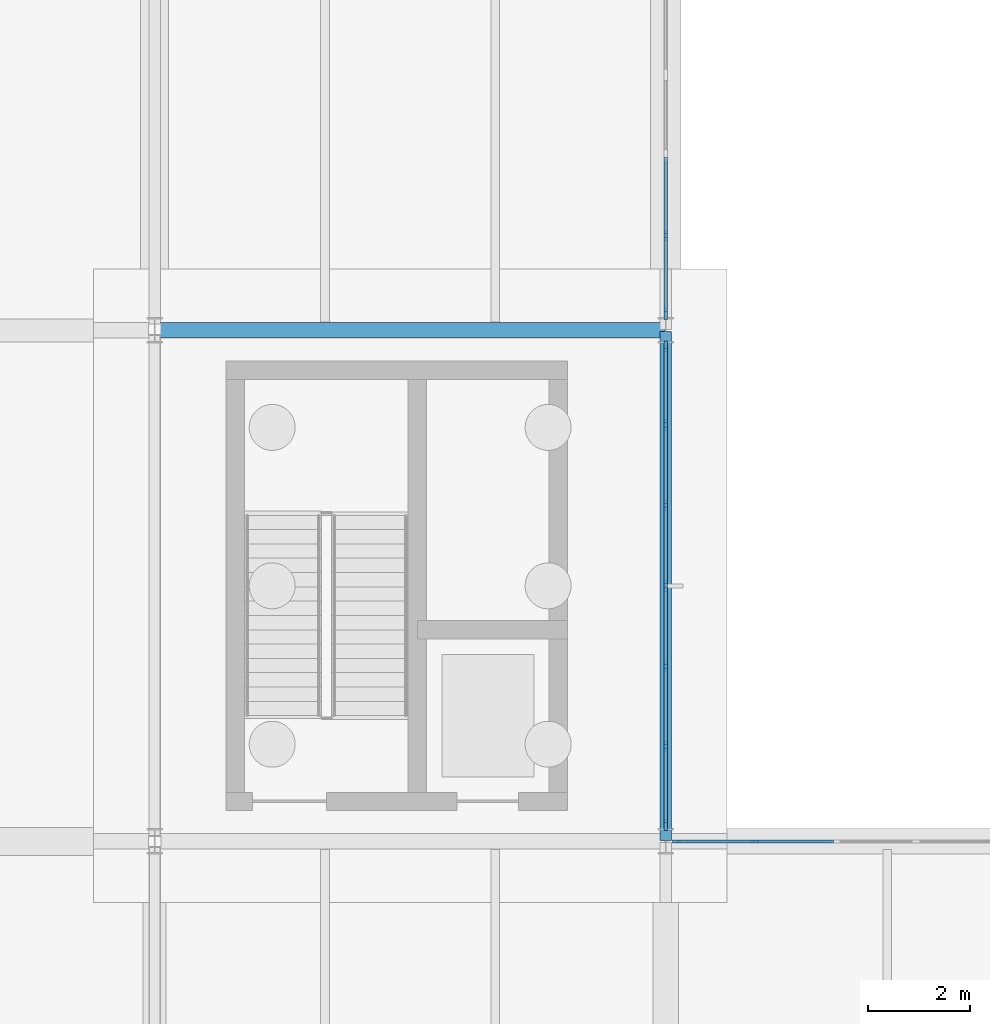
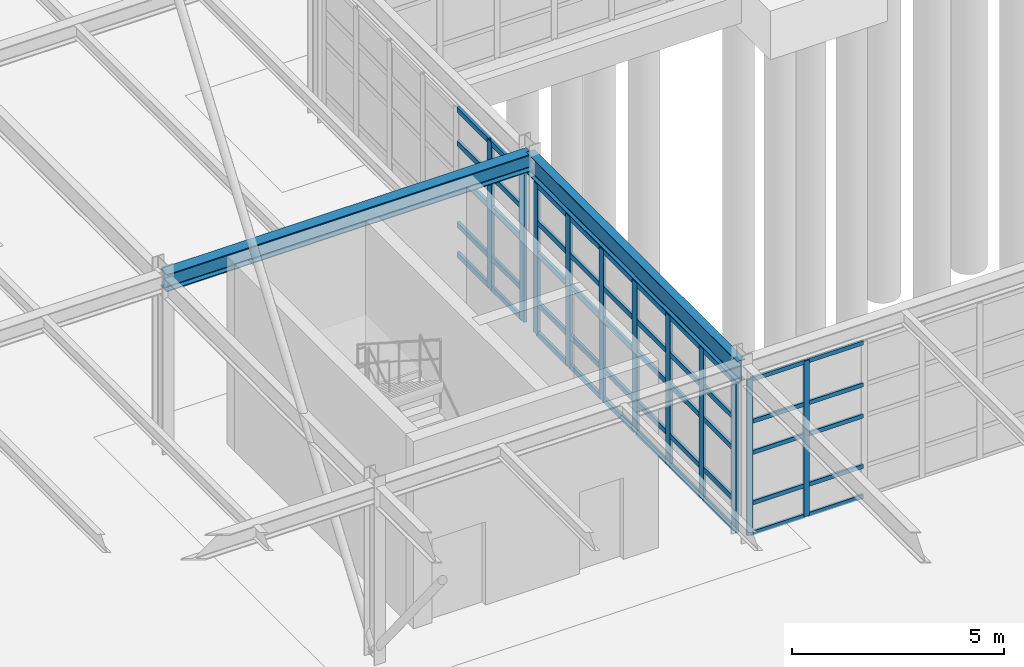
# One storey, part 46 of 145: 61 members, 2 beams, 3 elements without a shape of their own.
"""IFC4 building model written with IfcOpenShell, lengths in metres."""

from ifc_helpers import new_model, si_unit, direction, frame, origin, origin_2d, place, context, subcontext, project, spatial, rectangle, i_section, extrude, material, layer, layer_set, material_profile, profile_set, type_object, element, aggregate, save


model = new_model("IFC4")

# Units and contexts
model_context = context("Model", 3, precision=1e-05, world=origin(), true_north=direction((0.0, 1.0)))
body_context = subcontext(model_context, "Body", "Model", "MODEL_VIEW")
ifc_project = project(units=[si_unit("LENGTHUNIT", "METRE"), si_unit("AREAUNIT", "SQUARE_METRE"), si_unit("VOLUMEUNIT", "CUBIC_METRE"), si_unit("PLANEANGLEUNIT", "RADIAN"), si_unit("MASSUNIT", "GRAM", prefix="KILO"), si_unit("THERMODYNAMICTEMPERATUREUNIT", "KELVIN"), si_unit("POWERUNIT", "WATT")], contexts=[model_context])

# Site, building, storey
site_placement = place(None, origin())
site = spatial("IfcSite", under=ifc_project, at=site_placement, CompositionType="ELEMENT")
building_placement = place(site_placement, origin())
building = spatial("IfcBuilding", under=site, at=building_placement, Name="Korenveer Ferry Terminal", CompositionType="ELEMENT")
storey_placement = place(building_placement, origin())
storey = spatial("IfcBuildingStorey", under=building, at=storey_placement, Name="L00", CompositionType="ELEMENT", Elevation=0.0)

# Curtain wall, members
ifc_material_1 = material(Name="Unitised bronze-and-glass curtain wall", Category="glass")
ifc_layer_1 = layer(ifc_material_1, 0.159912109375)
ifc_layer_set_1 = layer_set([ifc_layer_1], Name="Unitised bronze-and-glass curtain wall")
curtain_wall_type_1 = type_object("IfcCurtainWallType", Name="ENV-CW-04", PredefinedType="USERDEFINED", material=ifc_layer_set_1)
curtain_wall_1_placement = place(storey_placement, frame((123.179931640625, 50.0, 0.0)))
curtain_wall_1 = element("IfcCurtainWall", 1, at=curtain_wall_1_placement, inside=storey, type_object=curtain_wall_type_1, Name="Lancet curtain wall CWX-L00-X123-136-Y50-50", ObjectType="UNITISED CURTAIN WALL", PredefinedType="USERDEFINED")
ifc_material_2 = material(Name="Anodised bronze aluminium", Category="aluminium")
ifc_material_profile_1 = material_profile(ifc_material_2, rectangle(XDim=0.06005859375, YDim=0.159912109375, at=origin_2d()), Name="ALU 60x160")
ifc_profile_set_1 = profile_set([ifc_material_profile_1], Name="Anodised bronze aluminium")
member_type_1 = type_object("IfcMemberType", Name="ENV-CWM-60X160", PredefinedType="MULLION", material=ifc_profile_set_1)
member_1_placement = place(storey_placement, frame((123.2099609375, 50.0, 0.0), z_axis=(0.0, 0.0, 1.0), x_axis=(0.0, 1.0, 0.0)))
member_1 = element("IfcMember", 2, at=member_1_placement, type_object=member_type_1, Name="CW-04 mullion 1", PredefinedType="MULLION", context=body_context, shape_type="SweptSolid", body=[
    extrude(rectangle(XDim=0.06005859375, YDim=0.159912109375, at=origin_2d()), origin(), (0.0, 0.0, 1.0), 4.489990234375),
])
member_2_placement = place(storey_placement, frame((124.753662109375, 50.0, 0.0), z_axis=(0.0, 0.0, 1.0), x_axis=(0.0, 1.0, 0.0)))
member_2 = element("IfcMember", 3, at=member_2_placement, type_object=member_type_1, Name="CW-04 mullion 2", PredefinedType="MULLION", context=body_context, shape_type="SweptSolid", body=[
    extrude(rectangle(XDim=0.06005859375, YDim=0.159912109375, at=origin_2d()), origin(), (0.0, 0.0, 1.0), 4.489990234375),
])

ifc_layer_2 = layer(ifc_material_1, 0.219970703125)
ifc_layer_set_2 = layer_set([ifc_layer_2], Name="Unitised bronze-and-glass curtain wall")
curtain_wall_type_2 = type_object("IfcCurtainWallType", Name="ENV-CW-26", PredefinedType="USERDEFINED", material=ifc_layer_set_2)
curtain_wall_2_placement = place(storey_placement, frame((123.0, 59.719970703125, 0.0)))
curtain_wall_2 = element("IfcCurtainWall", 4, at=curtain_wall_2_placement, inside=storey, type_object=curtain_wall_type_2, Name="Lancet curtain wall CWX-L00-X123-123-Y50-60", ObjectType="UNITISED CURTAIN WALL", PredefinedType="USERDEFINED")
ifc_material_profile_2 = material_profile(ifc_material_2, rectangle(XDim=0.074951171875, YDim=0.219970703125, at=origin_2d()), Name="ALU 75x220")
ifc_profile_set_2 = profile_set([ifc_material_profile_2], Name="Anodised bronze aluminium")
member_type_2 = type_object("IfcMemberType", Name="ENV-CWM-75X220", PredefinedType="MULLION", material=ifc_profile_set_2)
member_3_placement = place(storey_placement, frame((123.0, 59.6826171875, 0.0), z_axis=(0.0, 0.0, 1.0), x_axis=(1.0, 0.0, 0.0)))
member_3 = element("IfcMember", 5, at=member_3_placement, type_object=member_type_2, Name="CW-26 mullion 1", PredefinedType="MULLION", context=body_context, shape_type="SweptSolid", body=[
    extrude(rectangle(XDim=0.074951171875, YDim=0.219970703125, at=origin_2d()), origin(), (0.0, 0.0, 1.0), 4.35009765625),
])
member_4_placement = place(storey_placement, frame((123.0, 58.146728515625, 0.0), z_axis=(0.0, 0.0, 1.0), x_axis=(1.0, 0.0, 0.0)))
member_4 = element("IfcMember", 6, at=member_4_placement, type_object=member_type_2, Name="CW-26 mullion 2", PredefinedType="MULLION", context=body_context, shape_type="SweptSolid", body=[
    extrude(rectangle(XDim=0.074951171875, YDim=0.219970703125, at=origin_2d()), origin(), (0.0, 0.0, 1.0), 4.35009765625),
])
member_5_placement = place(storey_placement, frame((123.0, 56.5732421875, 0.0), z_axis=(0.0, 0.0, 1.0), x_axis=(1.0, 0.0, 0.0)))
member_5 = element("IfcMember", 7, at=member_5_placement, type_object=member_type_2, Name="CW-26 mullion 3", PredefinedType="MULLION", context=body_context, shape_type="SweptSolid", body=[
    extrude(rectangle(XDim=0.074951171875, YDim=0.219970703125, at=origin_2d()), origin(), (0.0, 0.0, 1.0), 4.35009765625),
])
member_6_placement = place(storey_placement, frame((123.0, 55.0, 0.0), z_axis=(0.0, 0.0, 1.0), x_axis=(1.0, 0.0, 0.0)))
member_6 = element("IfcMember", 8, at=member_6_placement, type_object=member_type_2, Name="CW-26 mullion 4", PredefinedType="MULLION", context=body_context, shape_type="SweptSolid", body=[
    extrude(rectangle(XDim=0.074951171875, YDim=0.219970703125, at=origin_2d()), origin(), (0.0, 0.0, 1.0), 4.35009765625),
])
member_7_placement = place(storey_placement, frame((123.0, 53.4267578125, 0.0), z_axis=(0.0, 0.0, 1.0), x_axis=(1.0, 0.0, 0.0)))
member_7 = element("IfcMember", 9, at=member_7_placement, type_object=member_type_2, Name="CW-26 mullion 5", PredefinedType="MULLION", context=body_context, shape_type="SweptSolid", body=[
    extrude(rectangle(XDim=0.074951171875, YDim=0.219970703125, at=origin_2d()), origin(), (0.0, 0.0, 1.0), 4.35009765625),
])
member_8_placement = place(storey_placement, frame((123.0, 51.853271484375, 0.0), z_axis=(0.0, 0.0, 1.0), x_axis=(1.0, 0.0, 0.0)))
member_8 = element("IfcMember", 10, at=member_8_placement, type_object=member_type_2, Name="CW-26 mullion 6", PredefinedType="MULLION", context=body_context, shape_type="SweptSolid", body=[
    extrude(rectangle(XDim=0.074951171875, YDim=0.219970703125, at=origin_2d()), origin(), (0.0, 0.0, 1.0), 4.35009765625),
])
member_9_placement = place(storey_placement, frame((123.0, 50.3173828125, 0.0), z_axis=(0.0, 0.0, 1.0), x_axis=(1.0, 0.0, 0.0)))
member_9 = element("IfcMember", 11, at=member_9_placement, type_object=member_type_2, Name="CW-26 mullion 7", PredefinedType="MULLION", context=body_context, shape_type="SweptSolid", body=[
    extrude(rectangle(XDim=0.074951171875, YDim=0.219970703125, at=origin_2d()), origin(), (0.0, 0.0, 1.0), 4.35009765625),
])

ifc_layer_3 = layer(ifc_material_1, 0.219970703125)
ifc_layer_set_3 = layer_set([ifc_layer_3], Name="Unitised bronze-and-glass curtain wall")
curtain_wall_type_3 = type_object("IfcCurtainWallType", Name="ENV-CW-27", PredefinedType="USERDEFINED", material=ifc_layer_set_3)
curtain_wall_3_placement = place(storey_placement, frame((123.0, 69.719970703125, 0.0)))
curtain_wall_3 = element("IfcCurtainWall", 12, at=curtain_wall_3_placement, inside=storey, type_object=curtain_wall_type_3, Name="Lancet curtain wall CWX-L00-X123-123-Y60-70", ObjectType="UNITISED CURTAIN WALL", PredefinedType="USERDEFINED")
member_10_placement = place(storey_placement, frame((123.0, 61.853271484375, 0.0), z_axis=(0.0, 0.0, 1.0), x_axis=(1.0, 0.0, 0.0)))
member_10 = element("IfcMember", 13, at=member_10_placement, type_object=member_type_2, Name="CW-27 mullion 6", PredefinedType="MULLION", context=body_context, shape_type="SweptSolid", body=[
    extrude(rectangle(XDim=0.074951171875, YDim=0.219970703125, at=origin_2d()), origin(), (0.0, 0.0, 1.0), 4.25),
])
member_11_placement = place(storey_placement, frame((123.0, 60.3173828125, 0.0), z_axis=(0.0, 0.0, 1.0), x_axis=(1.0, 0.0, 0.0)))
member_11 = element("IfcMember", 14, at=member_11_placement, type_object=member_type_2, Name="CW-27 mullion 7", PredefinedType="MULLION", context=body_context, shape_type="SweptSolid", body=[
    extrude(rectangle(XDim=0.074951171875, YDim=0.219970703125, at=origin_2d()), origin(), (0.0, 0.0, 1.0), 4.25),
])

# Member
ifc_material_profile_3 = material_profile(ifc_material_2, rectangle(XDim=0.06005859375, YDim=0.1201171875, at=origin_2d()), Name="ALU 60x120")
ifc_profile_set_3 = profile_set([ifc_material_profile_3], Name="Anodised bronze aluminium")
member_type_3 = type_object("IfcMemberType", Name="ENV-CWT-60X120", PredefinedType="USERDEFINED", material=ifc_profile_set_3)
member_12_placement = place(storey_placement, frame((123.239990234375, 50.0, 0.030029296875), z_axis=(1.0, 0.0, 0.0), x_axis=(0.0, 1.0, 0.0)))
member_12 = element("IfcMember", 15, at=member_12_placement, type_object=member_type_3, Name="CW-04 transom 1.1", ObjectType="TRANSOM", PredefinedType="USERDEFINED", context=body_context, shape_type="SweptSolid", body=[
    extrude(rectangle(XDim=0.06005859375, YDim=0.1201171875, at=origin_2d()), origin(), (0.0, 0.0, 1.0), 1.483642578125),
])

member_13_placement = place(storey_placement, frame((123.239990234375, 50.0, 0.89990234375), z_axis=(1.0, 0.0, 0.0), x_axis=(0.0, 1.0, 0.0)))
member_13 = element("IfcMember", 16, at=member_13_placement, type_object=member_type_3, Name="CW-04 transom 1.2", ObjectType="TRANSOM", PredefinedType="USERDEFINED", context=body_context, shape_type="SweptSolid", body=[
    extrude(rectangle(XDim=0.06005859375, YDim=0.1201171875, at=origin_2d()), origin(), (0.0, 0.0, 1.0), 1.483642578125),
])

member_14_placement = place(storey_placement, frame((123.239990234375, 50.0, 2.35009765625), z_axis=(1.0, 0.0, 0.0), x_axis=(0.0, 1.0, 0.0)))
member_14 = element("IfcMember", 17, at=member_14_placement, type_object=member_type_3, Name="CW-04 transom 1.3", ObjectType="TRANSOM", PredefinedType="USERDEFINED", context=body_context, shape_type="SweptSolid", body=[
    extrude(rectangle(XDim=0.06005859375, YDim=0.1201171875, at=origin_2d()), origin(), (0.0, 0.0, 1.0), 1.483642578125),
])

member_15_placement = place(storey_placement, frame((123.239990234375, 50.0, 3.25), z_axis=(1.0, 0.0, 0.0), x_axis=(0.0, 1.0, 0.0)))
member_15 = element("IfcMember", 18, at=member_15_placement, type_object=member_type_3, Name="CW-04 transom 1.4", ObjectType="TRANSOM", PredefinedType="USERDEFINED", context=body_context, shape_type="SweptSolid", body=[
    extrude(rectangle(XDim=0.06005859375, YDim=0.1201171875, at=origin_2d()), origin(), (0.0, 0.0, 1.0), 1.483642578125),
])

member_16_placement = place(storey_placement, frame((123.239990234375, 50.0, 4.4599609375), z_axis=(1.0, 0.0, 0.0), x_axis=(0.0, 1.0, 0.0)))
member_16 = element("IfcMember", 19, at=member_16_placement, type_object=member_type_3, Name="CW-04 transom 1.5", ObjectType="TRANSOM", PredefinedType="USERDEFINED", context=body_context, shape_type="SweptSolid", body=[
    extrude(rectangle(XDim=0.06005859375, YDim=0.1201171875, at=origin_2d()), origin(), (0.0, 0.0, 1.0), 1.483642578125),
])

member_17_placement = place(storey_placement, frame((124.78369140625, 50.0, 0.030029296875), z_axis=(1.0, 0.0, 0.0), x_axis=(0.0, 1.0, 0.0)))
member_17 = element("IfcMember", 20, at=member_17_placement, type_object=member_type_3, Name="CW-04 transom 2.1", ObjectType="TRANSOM", PredefinedType="USERDEFINED", context=body_context, shape_type="SweptSolid", body=[
    extrude(rectangle(XDim=0.06005859375, YDim=0.1201171875, at=origin_2d()), origin(), (0.0, 0.0, 1.0), 1.513916015625),
])

member_18_placement = place(storey_placement, frame((124.78369140625, 50.0, 0.89990234375), z_axis=(1.0, 0.0, 0.0), x_axis=(0.0, 1.0, 0.0)))
member_18 = element("IfcMember", 21, at=member_18_placement, type_object=member_type_3, Name="CW-04 transom 2.2", ObjectType="TRANSOM", PredefinedType="USERDEFINED", context=body_context, shape_type="SweptSolid", body=[
    extrude(rectangle(XDim=0.06005859375, YDim=0.1201171875, at=origin_2d()), origin(), (0.0, 0.0, 1.0), 1.513916015625),
])

member_19_placement = place(storey_placement, frame((124.78369140625, 50.0, 2.35009765625), z_axis=(1.0, 0.0, 0.0), x_axis=(0.0, 1.0, 0.0)))
member_19 = element("IfcMember", 22, at=member_19_placement, type_object=member_type_3, Name="CW-04 transom 2.3", ObjectType="TRANSOM", PredefinedType="USERDEFINED", context=body_context, shape_type="SweptSolid", body=[
    extrude(rectangle(XDim=0.06005859375, YDim=0.1201171875, at=origin_2d()), origin(), (0.0, 0.0, 1.0), 1.513916015625),
])

member_20_placement = place(storey_placement, frame((124.78369140625, 50.0, 3.25), z_axis=(1.0, 0.0, 0.0), x_axis=(0.0, 1.0, 0.0)))
member_20 = element("IfcMember", 23, at=member_20_placement, type_object=member_type_3, Name="CW-04 transom 2.4", ObjectType="TRANSOM", PredefinedType="USERDEFINED", context=body_context, shape_type="SweptSolid", body=[
    extrude(rectangle(XDim=0.06005859375, YDim=0.1201171875, at=origin_2d()), origin(), (0.0, 0.0, 1.0), 1.513916015625),
])

member_21_placement = place(storey_placement, frame((124.78369140625, 50.0, 4.4599609375), z_axis=(1.0, 0.0, 0.0), x_axis=(0.0, 1.0, 0.0)))
member_21 = element("IfcMember", 24, at=member_21_placement, type_object=member_type_3, Name="CW-04 transom 2.5", ObjectType="TRANSOM", PredefinedType="USERDEFINED", context=body_context, shape_type="SweptSolid", body=[
    extrude(rectangle(XDim=0.06005859375, YDim=0.1201171875, at=origin_2d()), origin(), (0.0, 0.0, 1.0), 1.513916015625),
])

aggregate(curtain_wall_1, [member_1, member_2, member_12, member_13, member_14, member_15, member_16, member_17, member_18, member_19, member_20, member_21])

ifc_material_profile_4 = material_profile(ifc_material_2, rectangle(XDim=0.074951171875, YDim=0.14990234375, at=origin_2d()), Name="ALU 75x150")
ifc_profile_set_4 = profile_set([ifc_material_profile_4], Name="Anodised bronze aluminium")
member_type_4 = type_object("IfcMemberType", Name="ENV-CWT-75X150", PredefinedType="USERDEFINED", material=ifc_profile_set_4)
member_22_placement = place(storey_placement, frame((123.0, 59.64501953125, 0.03759765625), z_axis=(0.0, -1.0, 0.0), x_axis=(1.0, 0.0, 0.0)))
member_22 = element("IfcMember", 25, at=member_22_placement, type_object=member_type_4, Name="CW-26 transom 1.1", ObjectType="TRANSOM", PredefinedType="USERDEFINED", context=body_context, shape_type="SweptSolid", body=[
    extrude(rectangle(XDim=0.074951171875, YDim=0.14990234375, at=origin_2d()), origin(), (0.0, 0.0, 1.0), 1.4609375),
])

member_23_placement = place(storey_placement, frame((123.0, 59.64501953125, 0.89990234375), z_axis=(0.0, -1.0, 0.0), x_axis=(1.0, 0.0, 0.0)))
member_23 = element("IfcMember", 26, at=member_23_placement, type_object=member_type_4, Name="CW-26 transom 1.2", ObjectType="TRANSOM", PredefinedType="USERDEFINED", context=body_context, shape_type="SweptSolid", body=[
    extrude(rectangle(XDim=0.074951171875, YDim=0.14990234375, at=origin_2d()), origin(), (0.0, 0.0, 1.0), 1.4609375),
])

member_24_placement = place(storey_placement, frame((123.0, 59.64501953125, 2.35009765625), z_axis=(0.0, -1.0, 0.0), x_axis=(1.0, 0.0, 0.0)))
member_24 = element("IfcMember", 27, at=member_24_placement, type_object=member_type_4, Name="CW-26 transom 1.3", ObjectType="TRANSOM", PredefinedType="USERDEFINED", context=body_context, shape_type="SweptSolid", body=[
    extrude(rectangle(XDim=0.074951171875, YDim=0.14990234375, at=origin_2d()), origin(), (0.0, 0.0, 1.0), 1.4609375),
])

member_25_placement = place(storey_placement, frame((123.0, 59.64501953125, 3.25), z_axis=(0.0, -1.0, 0.0), x_axis=(1.0, 0.0, 0.0)))
member_25 = element("IfcMember", 28, at=member_25_placement, type_object=member_type_4, Name="CW-26 transom 1.4", ObjectType="TRANSOM", PredefinedType="USERDEFINED", context=body_context, shape_type="SweptSolid", body=[
    extrude(rectangle(XDim=0.074951171875, YDim=0.14990234375, at=origin_2d()), origin(), (0.0, 0.0, 1.0), 1.4609375),
])

member_26_placement = place(storey_placement, frame((123.0, 59.64501953125, 4.3125), z_axis=(0.0, -1.0, 0.0), x_axis=(1.0, 0.0, 0.0)))
member_26 = element("IfcMember", 29, at=member_26_placement, type_object=member_type_4, Name="CW-26 transom 1.5", ObjectType="TRANSOM", PredefinedType="USERDEFINED", context=body_context, shape_type="SweptSolid", body=[
    extrude(rectangle(XDim=0.074951171875, YDim=0.14990234375, at=origin_2d()), origin(), (0.0, 0.0, 1.0), 1.4609375),
])

member_27_placement = place(storey_placement, frame((123.0, 58.109130859375, 0.03759765625), z_axis=(0.0, -1.0, 0.0), x_axis=(1.0, 0.0, 0.0)))
member_27 = element("IfcMember", 30, at=member_27_placement, type_object=member_type_4, Name="CW-26 transom 2.1", ObjectType="TRANSOM", PredefinedType="USERDEFINED", context=body_context, shape_type="SweptSolid", body=[
    extrude(rectangle(XDim=0.074951171875, YDim=0.14990234375, at=origin_2d()), origin(), (0.0, 0.0, 1.0), 1.498291015625),
])

member_28_placement = place(storey_placement, frame((123.0, 58.109130859375, 0.89990234375), z_axis=(0.0, -1.0, 0.0), x_axis=(1.0, 0.0, 0.0)))
member_28 = element("IfcMember", 31, at=member_28_placement, type_object=member_type_4, Name="CW-26 transom 2.2", ObjectType="TRANSOM", PredefinedType="USERDEFINED", context=body_context, shape_type="SweptSolid", body=[
    extrude(rectangle(XDim=0.074951171875, YDim=0.14990234375, at=origin_2d()), origin(), (0.0, 0.0, 1.0), 1.498291015625),
])

member_29_placement = place(storey_placement, frame((123.0, 58.109130859375, 2.35009765625), z_axis=(0.0, -1.0, 0.0), x_axis=(1.0, 0.0, 0.0)))
member_29 = element("IfcMember", 32, at=member_29_placement, type_object=member_type_4, Name="CW-26 transom 2.3", ObjectType="TRANSOM", PredefinedType="USERDEFINED", context=body_context, shape_type="SweptSolid", body=[
    extrude(rectangle(XDim=0.074951171875, YDim=0.14990234375, at=origin_2d()), origin(), (0.0, 0.0, 1.0), 1.498291015625),
])

member_30_placement = place(storey_placement, frame((123.0, 58.109130859375, 3.25), z_axis=(0.0, -1.0, 0.0), x_axis=(1.0, 0.0, 0.0)))
member_30 = element("IfcMember", 33, at=member_30_placement, type_object=member_type_4, Name="CW-26 transom 2.4", ObjectType="TRANSOM", PredefinedType="USERDEFINED", context=body_context, shape_type="SweptSolid", body=[
    extrude(rectangle(XDim=0.074951171875, YDim=0.14990234375, at=origin_2d()), origin(), (0.0, 0.0, 1.0), 1.498291015625),
])

member_31_placement = place(storey_placement, frame((123.0, 58.109130859375, 4.3125), z_axis=(0.0, -1.0, 0.0), x_axis=(1.0, 0.0, 0.0)))
member_31 = element("IfcMember", 34, at=member_31_placement, type_object=member_type_4, Name="CW-26 transom 2.5", ObjectType="TRANSOM", PredefinedType="USERDEFINED", context=body_context, shape_type="SweptSolid", body=[
    extrude(rectangle(XDim=0.074951171875, YDim=0.14990234375, at=origin_2d()), origin(), (0.0, 0.0, 1.0), 1.498291015625),
])

member_32_placement = place(storey_placement, frame((123.0, 56.535888671875, 0.03759765625), z_axis=(0.0, -1.0, 0.0), x_axis=(1.0, 0.0, 0.0)))
member_32 = element("IfcMember", 35, at=member_32_placement, type_object=member_type_4, Name="CW-26 transom 3.1", ObjectType="TRANSOM", PredefinedType="USERDEFINED", context=body_context, shape_type="SweptSolid", body=[
    extrude(rectangle(XDim=0.074951171875, YDim=0.14990234375, at=origin_2d()), origin(), (0.0, 0.0, 1.0), 1.498291015625),
])

member_33_placement = place(storey_placement, frame((123.0, 56.535888671875, 0.89990234375), z_axis=(0.0, -1.0, 0.0), x_axis=(1.0, 0.0, 0.0)))
member_33 = element("IfcMember", 36, at=member_33_placement, type_object=member_type_4, Name="CW-26 transom 3.2", ObjectType="TRANSOM", PredefinedType="USERDEFINED", context=body_context, shape_type="SweptSolid", body=[
    extrude(rectangle(XDim=0.074951171875, YDim=0.14990234375, at=origin_2d()), origin(), (0.0, 0.0, 1.0), 1.498291015625),
])

member_34_placement = place(storey_placement, frame((123.0, 56.535888671875, 2.35009765625), z_axis=(0.0, -1.0, 0.0), x_axis=(1.0, 0.0, 0.0)))
member_34 = element("IfcMember", 37, at=member_34_placement, type_object=member_type_4, Name="CW-26 transom 3.3", ObjectType="TRANSOM", PredefinedType="USERDEFINED", context=body_context, shape_type="SweptSolid", body=[
    extrude(rectangle(XDim=0.074951171875, YDim=0.14990234375, at=origin_2d()), origin(), (0.0, 0.0, 1.0), 1.498291015625),
])

member_35_placement = place(storey_placement, frame((123.0, 56.535888671875, 3.25), z_axis=(0.0, -1.0, 0.0), x_axis=(1.0, 0.0, 0.0)))
member_35 = element("IfcMember", 38, at=member_35_placement, type_object=member_type_4, Name="CW-26 transom 3.4", ObjectType="TRANSOM", PredefinedType="USERDEFINED", context=body_context, shape_type="SweptSolid", body=[
    extrude(rectangle(XDim=0.074951171875, YDim=0.14990234375, at=origin_2d()), origin(), (0.0, 0.0, 1.0), 1.498291015625),
])

member_36_placement = place(storey_placement, frame((123.0, 56.535888671875, 4.3125), z_axis=(0.0, -1.0, 0.0), x_axis=(1.0, 0.0, 0.0)))
member_36 = element("IfcMember", 39, at=member_36_placement, type_object=member_type_4, Name="CW-26 transom 3.5", ObjectType="TRANSOM", PredefinedType="USERDEFINED", context=body_context, shape_type="SweptSolid", body=[
    extrude(rectangle(XDim=0.074951171875, YDim=0.14990234375, at=origin_2d()), origin(), (0.0, 0.0, 1.0), 1.498291015625),
])

member_37_placement = place(storey_placement, frame((123.0, 54.96240234375, 0.03759765625), z_axis=(0.0, -1.0, 0.0), x_axis=(1.0, 0.0, 0.0)))
member_37 = element("IfcMember", 40, at=member_37_placement, type_object=member_type_4, Name="CW-26 transom 4.1", ObjectType="TRANSOM", PredefinedType="USERDEFINED", context=body_context, shape_type="SweptSolid", body=[
    extrude(rectangle(XDim=0.074951171875, YDim=0.14990234375, at=origin_2d()), origin(), (0.0, 0.0, 1.0), 1.498291015625),
])

member_38_placement = place(storey_placement, frame((123.0, 54.96240234375, 0.89990234375), z_axis=(0.0, -1.0, 0.0), x_axis=(1.0, 0.0, 0.0)))
member_38 = element("IfcMember", 41, at=member_38_placement, type_object=member_type_4, Name="CW-26 transom 4.2", ObjectType="TRANSOM", PredefinedType="USERDEFINED", context=body_context, shape_type="SweptSolid", body=[
    extrude(rectangle(XDim=0.074951171875, YDim=0.14990234375, at=origin_2d()), origin(), (0.0, 0.0, 1.0), 1.498291015625),
])

member_39_placement = place(storey_placement, frame((123.0, 54.96240234375, 2.35009765625), z_axis=(0.0, -1.0, 0.0), x_axis=(1.0, 0.0, 0.0)))
member_39 = element("IfcMember", 42, at=member_39_placement, type_object=member_type_4, Name="CW-26 transom 4.3", ObjectType="TRANSOM", PredefinedType="USERDEFINED", context=body_context, shape_type="SweptSolid", body=[
    extrude(rectangle(XDim=0.074951171875, YDim=0.14990234375, at=origin_2d()), origin(), (0.0, 0.0, 1.0), 1.498291015625),
])

member_40_placement = place(storey_placement, frame((123.0, 54.96240234375, 3.25), z_axis=(0.0, -1.0, 0.0), x_axis=(1.0, 0.0, 0.0)))
member_40 = element("IfcMember", 43, at=member_40_placement, type_object=member_type_4, Name="CW-26 transom 4.4", ObjectType="TRANSOM", PredefinedType="USERDEFINED", context=body_context, shape_type="SweptSolid", body=[
    extrude(rectangle(XDim=0.074951171875, YDim=0.14990234375, at=origin_2d()), origin(), (0.0, 0.0, 1.0), 1.498291015625),
])

member_41_placement = place(storey_placement, frame((123.0, 54.96240234375, 4.3125), z_axis=(0.0, -1.0, 0.0), x_axis=(1.0, 0.0, 0.0)))
member_41 = element("IfcMember", 44, at=member_41_placement, type_object=member_type_4, Name="CW-26 transom 4.5", ObjectType="TRANSOM", PredefinedType="USERDEFINED", context=body_context, shape_type="SweptSolid", body=[
    extrude(rectangle(XDim=0.074951171875, YDim=0.14990234375, at=origin_2d()), origin(), (0.0, 0.0, 1.0), 1.498291015625),
])

member_42_placement = place(storey_placement, frame((123.0, 53.38916015625, 0.03759765625), z_axis=(0.0, -1.0, 0.0), x_axis=(1.0, 0.0, 0.0)))
member_42 = element("IfcMember", 45, at=member_42_placement, type_object=member_type_4, Name="CW-26 transom 5.1", ObjectType="TRANSOM", PredefinedType="USERDEFINED", context=body_context, shape_type="SweptSolid", body=[
    extrude(rectangle(XDim=0.074951171875, YDim=0.14990234375, at=origin_2d()), origin(), (0.0, 0.0, 1.0), 1.498291015625),
])

member_43_placement = place(storey_placement, frame((123.0, 53.38916015625, 0.89990234375), z_axis=(0.0, -1.0, 0.0), x_axis=(1.0, 0.0, 0.0)))
member_43 = element("IfcMember", 46, at=member_43_placement, type_object=member_type_4, Name="CW-26 transom 5.2", ObjectType="TRANSOM", PredefinedType="USERDEFINED", context=body_context, shape_type="SweptSolid", body=[
    extrude(rectangle(XDim=0.074951171875, YDim=0.14990234375, at=origin_2d()), origin(), (0.0, 0.0, 1.0), 1.498291015625),
])

member_44_placement = place(storey_placement, frame((123.0, 53.38916015625, 2.35009765625), z_axis=(0.0, -1.0, 0.0), x_axis=(1.0, 0.0, 0.0)))
member_44 = element("IfcMember", 47, at=member_44_placement, type_object=member_type_4, Name="CW-26 transom 5.3", ObjectType="TRANSOM", PredefinedType="USERDEFINED", context=body_context, shape_type="SweptSolid", body=[
    extrude(rectangle(XDim=0.074951171875, YDim=0.14990234375, at=origin_2d()), origin(), (0.0, 0.0, 1.0), 1.498291015625),
])

member_45_placement = place(storey_placement, frame((123.0, 53.38916015625, 3.25), z_axis=(0.0, -1.0, 0.0), x_axis=(1.0, 0.0, 0.0)))
member_45 = element("IfcMember", 48, at=member_45_placement, type_object=member_type_4, Name="CW-26 transom 5.4", ObjectType="TRANSOM", PredefinedType="USERDEFINED", context=body_context, shape_type="SweptSolid", body=[
    extrude(rectangle(XDim=0.074951171875, YDim=0.14990234375, at=origin_2d()), origin(), (0.0, 0.0, 1.0), 1.498291015625),
])

member_46_placement = place(storey_placement, frame((123.0, 53.38916015625, 4.3125), z_axis=(0.0, -1.0, 0.0), x_axis=(1.0, 0.0, 0.0)))
member_46 = element("IfcMember", 49, at=member_46_placement, type_object=member_type_4, Name="CW-26 transom 5.5", ObjectType="TRANSOM", PredefinedType="USERDEFINED", context=body_context, shape_type="SweptSolid", body=[
    extrude(rectangle(XDim=0.074951171875, YDim=0.14990234375, at=origin_2d()), origin(), (0.0, 0.0, 1.0), 1.498291015625),
])

member_47_placement = place(storey_placement, frame((123.0, 51.81591796875, 0.03759765625), z_axis=(0.0, -1.0, 0.0), x_axis=(1.0, 0.0, 0.0)))
member_47 = element("IfcMember", 50, at=member_47_placement, type_object=member_type_4, Name="CW-26 transom 6.1", ObjectType="TRANSOM", PredefinedType="USERDEFINED", context=body_context, shape_type="SweptSolid", body=[
    extrude(rectangle(XDim=0.074951171875, YDim=0.14990234375, at=origin_2d()), origin(), (0.0, 0.0, 1.0), 1.4609375),
])

member_48_placement = place(storey_placement, frame((123.0, 51.81591796875, 0.89990234375), z_axis=(0.0, -1.0, 0.0), x_axis=(1.0, 0.0, 0.0)))
member_48 = element("IfcMember", 51, at=member_48_placement, type_object=member_type_4, Name="CW-26 transom 6.2", ObjectType="TRANSOM", PredefinedType="USERDEFINED", context=body_context, shape_type="SweptSolid", body=[
    extrude(rectangle(XDim=0.074951171875, YDim=0.14990234375, at=origin_2d()), origin(), (0.0, 0.0, 1.0), 1.4609375),
])

member_49_placement = place(storey_placement, frame((123.0, 51.81591796875, 2.35009765625), z_axis=(0.0, -1.0, 0.0), x_axis=(1.0, 0.0, 0.0)))
member_49 = element("IfcMember", 52, at=member_49_placement, type_object=member_type_4, Name="CW-26 transom 6.3", ObjectType="TRANSOM", PredefinedType="USERDEFINED", context=body_context, shape_type="SweptSolid", body=[
    extrude(rectangle(XDim=0.074951171875, YDim=0.14990234375, at=origin_2d()), origin(), (0.0, 0.0, 1.0), 1.4609375),
])

member_50_placement = place(storey_placement, frame((123.0, 51.81591796875, 3.25), z_axis=(0.0, -1.0, 0.0), x_axis=(1.0, 0.0, 0.0)))
member_50 = element("IfcMember", 53, at=member_50_placement, type_object=member_type_4, Name="CW-26 transom 6.4", ObjectType="TRANSOM", PredefinedType="USERDEFINED", context=body_context, shape_type="SweptSolid", body=[
    extrude(rectangle(XDim=0.074951171875, YDim=0.14990234375, at=origin_2d()), origin(), (0.0, 0.0, 1.0), 1.4609375),
])

member_51_placement = place(storey_placement, frame((123.0, 51.81591796875, 4.3125), z_axis=(0.0, -1.0, 0.0), x_axis=(1.0, 0.0, 0.0)))
member_51 = element("IfcMember", 54, at=member_51_placement, type_object=member_type_4, Name="CW-26 transom 6.5", ObjectType="TRANSOM", PredefinedType="USERDEFINED", context=body_context, shape_type="SweptSolid", body=[
    extrude(rectangle(XDim=0.074951171875, YDim=0.14990234375, at=origin_2d()), origin(), (0.0, 0.0, 1.0), 1.4609375),
])

aggregate(curtain_wall_2, [member_3, member_4, member_5, member_6, member_7, member_8, member_9, member_22, member_23, member_24, member_25, member_26, member_27, member_28, member_29, member_30, member_31, member_32, member_33, member_34, member_35, member_36, member_37, member_38, member_39, member_40, member_41, member_42, member_43, member_44, member_45, member_46, member_47, member_48, member_49, member_50, member_51])

member_52_placement = place(storey_placement, frame((123.0, 63.38916015625, 0.03759765625), z_axis=(0.0, -1.0, 0.0), x_axis=(1.0, 0.0, 0.0)))
member_52 = element("IfcMember", 55, at=member_52_placement, type_object=member_type_4, Name="CW-27 transom 5.1", ObjectType="TRANSOM", PredefinedType="USERDEFINED", context=body_context, shape_type="SweptSolid", body=[
    extrude(rectangle(XDim=0.074951171875, YDim=0.14990234375, at=origin_2d()), origin(), (0.0, 0.0, 1.0), 1.498291015625),
])

member_53_placement = place(storey_placement, frame((123.0, 63.38916015625, 0.89990234375), z_axis=(0.0, -1.0, 0.0), x_axis=(1.0, 0.0, 0.0)))
member_53 = element("IfcMember", 56, at=member_53_placement, type_object=member_type_4, Name="CW-27 transom 5.2", ObjectType="TRANSOM", PredefinedType="USERDEFINED", context=body_context, shape_type="SweptSolid", body=[
    extrude(rectangle(XDim=0.074951171875, YDim=0.14990234375, at=origin_2d()), origin(), (0.0, 0.0, 1.0), 1.498291015625),
])

member_54_placement = place(storey_placement, frame((123.0, 63.38916015625, 2.35009765625), z_axis=(0.0, -1.0, 0.0), x_axis=(1.0, 0.0, 0.0)))
member_54 = element("IfcMember", 57, at=member_54_placement, type_object=member_type_4, Name="CW-27 transom 5.3", ObjectType="TRANSOM", PredefinedType="USERDEFINED", context=body_context, shape_type="SweptSolid", body=[
    extrude(rectangle(XDim=0.074951171875, YDim=0.14990234375, at=origin_2d()), origin(), (0.0, 0.0, 1.0), 1.498291015625),
])

member_55_placement = place(storey_placement, frame((123.0, 63.38916015625, 3.25), z_axis=(0.0, -1.0, 0.0), x_axis=(1.0, 0.0, 0.0)))
member_55 = element("IfcMember", 58, at=member_55_placement, type_object=member_type_4, Name="CW-27 transom 5.4", ObjectType="TRANSOM", PredefinedType="USERDEFINED", context=body_context, shape_type="SweptSolid", body=[
    extrude(rectangle(XDim=0.074951171875, YDim=0.14990234375, at=origin_2d()), origin(), (0.0, 0.0, 1.0), 1.498291015625),
])

member_56_placement = place(storey_placement, frame((123.0, 63.38916015625, 4.21240234375), z_axis=(0.0, -1.0, 0.0), x_axis=(1.0, 0.0, 0.0)))
member_56 = element("IfcMember", 59, at=member_56_placement, type_object=member_type_4, Name="CW-27 transom 5.5", ObjectType="TRANSOM", PredefinedType="USERDEFINED", context=body_context, shape_type="SweptSolid", body=[
    extrude(rectangle(XDim=0.074951171875, YDim=0.14990234375, at=origin_2d()), origin(), (0.0, 0.0, 1.0), 1.498291015625),
])

member_57_placement = place(storey_placement, frame((123.0, 61.81591796875, 0.03759765625), z_axis=(0.0, -1.0, 0.0), x_axis=(1.0, 0.0, 0.0)))
member_57 = element("IfcMember", 60, at=member_57_placement, type_object=member_type_4, Name="CW-27 transom 6.1", ObjectType="TRANSOM", PredefinedType="USERDEFINED", context=body_context, shape_type="SweptSolid", body=[
    extrude(rectangle(XDim=0.074951171875, YDim=0.14990234375, at=origin_2d()), origin(), (0.0, 0.0, 1.0), 1.4609375),
])

member_58_placement = place(storey_placement, frame((123.0, 61.81591796875, 0.89990234375), z_axis=(0.0, -1.0, 0.0), x_axis=(1.0, 0.0, 0.0)))
member_58 = element("IfcMember", 61, at=member_58_placement, type_object=member_type_4, Name="CW-27 transom 6.2", ObjectType="TRANSOM", PredefinedType="USERDEFINED", context=body_context, shape_type="SweptSolid", body=[
    extrude(rectangle(XDim=0.074951171875, YDim=0.14990234375, at=origin_2d()), origin(), (0.0, 0.0, 1.0), 1.4609375),
])

member_59_placement = place(storey_placement, frame((123.0, 61.81591796875, 2.35009765625), z_axis=(0.0, -1.0, 0.0), x_axis=(1.0, 0.0, 0.0)))
member_59 = element("IfcMember", 62, at=member_59_placement, type_object=member_type_4, Name="CW-27 transom 6.3", ObjectType="TRANSOM", PredefinedType="USERDEFINED", context=body_context, shape_type="SweptSolid", body=[
    extrude(rectangle(XDim=0.074951171875, YDim=0.14990234375, at=origin_2d()), origin(), (0.0, 0.0, 1.0), 1.4609375),
])

member_60_placement = place(storey_placement, frame((123.0, 61.81591796875, 3.25), z_axis=(0.0, -1.0, 0.0), x_axis=(1.0, 0.0, 0.0)))
member_60 = element("IfcMember", 63, at=member_60_placement, type_object=member_type_4, Name="CW-27 transom 6.4", ObjectType="TRANSOM", PredefinedType="USERDEFINED", context=body_context, shape_type="SweptSolid", body=[
    extrude(rectangle(XDim=0.074951171875, YDim=0.14990234375, at=origin_2d()), origin(), (0.0, 0.0, 1.0), 1.4609375),
])

member_61_placement = place(storey_placement, frame((123.0, 61.81591796875, 4.21240234375), z_axis=(0.0, -1.0, 0.0), x_axis=(1.0, 0.0, 0.0)))
member_61 = element("IfcMember", 64, at=member_61_placement, type_object=member_type_4, Name="CW-27 transom 6.5", ObjectType="TRANSOM", PredefinedType="USERDEFINED", context=body_context, shape_type="SweptSolid", body=[
    extrude(rectangle(XDim=0.074951171875, YDim=0.14990234375, at=origin_2d()), origin(), (0.0, 0.0, 1.0), 1.4609375),
])

aggregate(curtain_wall_3, [member_10, member_11, member_52, member_53, member_54, member_55, member_56, member_57, member_58, member_59, member_60, member_61])

# Beams
ifc_material_3 = material(Name="Steel S355", Category="steel")
ifc_material_profile_5 = material_profile(ifc_material_3, i_section(OverallWidth=0.300048828125, OverallDepth=0.5, WebThickness=0.014404296875, FlangeThickness=0.028076171875, FilletRadius=0.027099609375, at=origin_2d()), Name="HEB 500")
ifc_profile_set_5 = profile_set([ifc_material_profile_5], Name="Steel S355")
beam_type_1 = type_object("IfcBeamType", Name="STR-BM-HEB500", PredefinedType="BEAM", material=ifc_profile_set_5)
beam_1_placement = place(storey_placement, frame((113.02001953125, 60.0, 4.830078125), z_axis=(1.0, 0.0, 0.0), x_axis=(0.0, 1.0, 0.0)))
element("IfcBeam", 65, at=beam_1_placement, inside=storey, type_object=beam_type_1, Name="Primary X girder BMX-L01-X113-123-Y60", PredefinedType="BEAM", context=body_context, shape_type="SweptSolid", body=[
    extrude(i_section(OverallWidth=0.300048828125, OverallDepth=0.5, WebThickness=0.014404296875, FlangeThickness=0.028076171875, FilletRadius=0.027099609375, at=origin_2d()), origin(), (0.0, 0.0, 1.0), 9.9599609375),
])
ifc_material_profile_6 = material_profile(ifc_material_3, i_section(OverallWidth=0.219970703125, OverallDepth=0.60009765625, WebThickness=0.011962890625, FlangeThickness=0.01904296875, FilletRadius=0.02392578125, at=origin_2d()), Name="IPE 600")
ifc_profile_set_6 = profile_set([ifc_material_profile_6], Name="Steel S355")
beam_type_2 = type_object("IfcBeamType", Name="STR-BM-IPE600", PredefinedType="BEAM", material=ifc_profile_set_6)
beam_2_placement = place(storey_placement, frame((123.0, 50.02001953125, 4.780029296875), z_axis=(0.0, 1.0, 0.0), x_axis=(-1.0, 0.0, 0.0)))
element("IfcBeam", 66, at=beam_2_placement, inside=storey, type_object=beam_type_2, Name="Primary Y girder BMY-L01-X123-Y50-60", PredefinedType="BEAM", context=body_context, shape_type="SweptSolid", body=[
    extrude(i_section(OverallWidth=0.219970703125, OverallDepth=0.60009765625, WebThickness=0.011962890625, FlangeThickness=0.01904296875, FilletRadius=0.02392578125, at=origin_2d()), origin(), (0.0, 0.0, 1.0), 9.9599609375),
])

save(model, "model.ifc")
